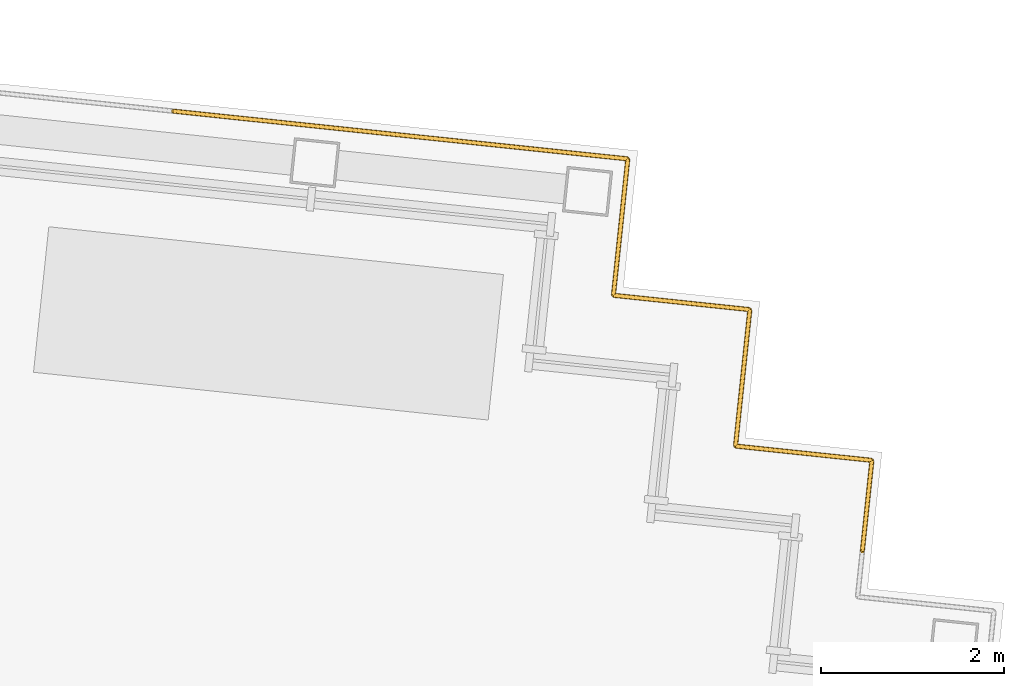
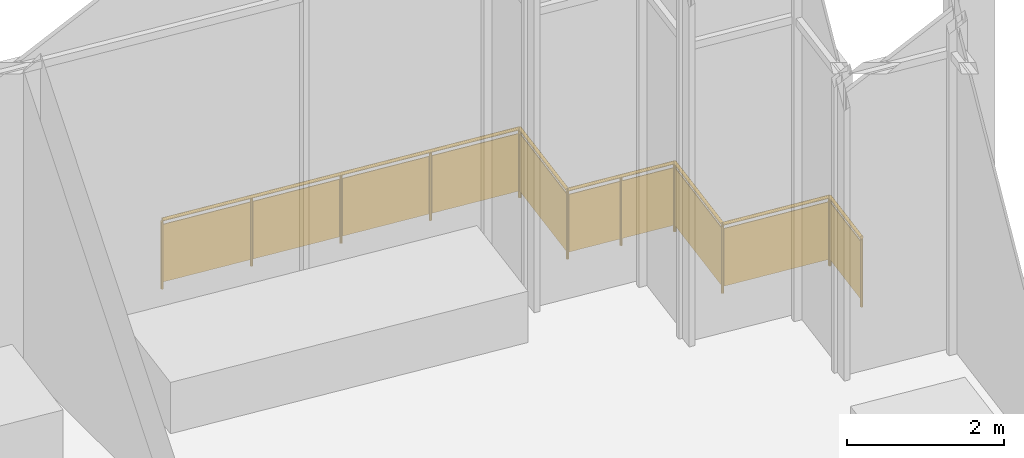
# One storey, part 14 of 14: 1 railing.
"""IFC4 building model written with IfcOpenShell, lengths in metres."""

from ifc_helpers import new_model, si_unit, direction, frame, origin, origin_2d, place, context, subcontext, project, spatial, rectangle, circle, extrude, material, type_object, element, save


model = new_model("IFC4")

# Units and contexts
model_context = context("Model", 3, precision=1e-05, world=origin(), true_north=direction((0.0, 1.0)))
body_context = subcontext(model_context, "Body", "Model", "MODEL_VIEW")
ifc_project = project(units=[si_unit("LENGTHUNIT", "METRE"), si_unit("AREAUNIT", "SQUARE_METRE"), si_unit("VOLUMEUNIT", "CUBIC_METRE"), si_unit("PLANEANGLEUNIT", "RADIAN"), si_unit("MASSUNIT", "GRAM", prefix="KILO")], contexts=[model_context])

# Site, building, storey
site_placement = place(None, origin())
site = spatial("IfcSite", under=ifc_project, at=site_placement, CompositionType="ELEMENT")
building_placement = place(site_placement, origin())
building = spatial("IfcBuilding", under=site, at=building_placement, Name="Vidyagriha Tower", CompositionType="ELEMENT")
storey_placement = place(building_placement, frame((0.0, 0.0, 281.89990234375)))
storey = spatial("IfcBuildingStorey", under=building, at=storey_placement, Name="L74", CompositionType="ELEMENT", Elevation=281.89990234375)

# Railing
ifc_material = material(Name="Steel ASTM A500 Grade C black painted", Category="steel")
railing_type = type_object("IfcRailingType", Name="Gallery guard 1100", PredefinedType="GUARDRAIL", material=ifc_material)
railing_placement = place(storey_placement, frame((24.288818359375, 19.227294921875, 0.0)))
element("IfcRailing", 1, at=railing_placement, inside=storey, type_object=railing_type, Name="Gallery guard L74 13", PredefinedType="GUARDRAIL", context=body_context, shape_type="SweptSolid", body=[
    extrude(circle(Radius=0.02490234375, at=origin_2d()), frame((0.0, 0.0, 1.0751953125), z_axis=(0.994520692635, -0.104539905878, 0.0), x_axis=(0.104539905878, 0.994520692635, 0.0)), (0.0, 0.0, 1.0), 5.0),
    extrude(circle(Radius=0.02490234375, at=origin_2d()), frame((4.97265625, -0.522705078125, 1.0751953125), z_axis=(-0.104659366031, -0.994508128223, 0.0), x_axis=(0.994508128223, -0.104659366031, 0.0)), (0.0, 0.0, 1.0), 1.5),
    extrude(circle(Radius=0.02490234375, at=origin_2d()), frame((4.815673828125, -2.014404296875, 1.0751953125), z_axis=(0.994509910675, -0.104642427191, 0.0), x_axis=(0.104642427191, 0.994509910675, 0.0)), (0.0, 0.0, 1.0), 1.500244140625),
    extrude(circle(Radius=0.02490234375, at=origin_2d()), frame((6.3076171875, -2.17138671875, 1.0751953125), z_axis=(-0.104498377516, -0.994525057048, 0.0), x_axis=(0.994525057048, -0.104498377516, 0.0)), (0.0, 0.0, 1.0), 1.5),
    extrude(circle(Radius=0.02490234375, at=origin_2d()), frame((6.15087890625, -3.6630859375, 1.0751953125), z_axis=(0.994525057048, -0.104498377516, 0.0), x_axis=(0.104498377516, 0.994525057048, 0.0)), (0.0, 0.0, 1.0), 1.5),
    extrude(circle(Radius=0.02490234375, at=origin_2d()), frame((7.642578125, -3.81982421875, 1.0751953125), z_axis=(-0.104481464157, -0.994526834051, 0.0), x_axis=(0.994526834051, -0.104481464157, 0.0)), (0.0, 0.0, 1.0), 1.0),
    extrude(circle(Radius=0.02001953125, at=origin_2d()), origin(), (0.0, 0.0, 1.0), 1.050048828125),
    extrude(circle(Radius=0.02001953125, at=origin_2d()), frame((1.2431640625, -0.130615234375, 0.0)), (0.0, 0.0, 1.0), 1.050048828125),
    extrude(circle(Radius=0.02001953125, at=origin_2d()), frame((2.486328125, -0.26123046875, 0.0)), (0.0, 0.0, 1.0), 1.050048828125),
    extrude(circle(Radius=0.02001953125, at=origin_2d()), frame((3.7294921875, -0.39208984375, 0.0)), (0.0, 0.0, 1.0), 1.050048828125),
    extrude(circle(Radius=0.02001953125, at=origin_2d()), frame((4.97265625, -0.522705078125, 0.0)), (0.0, 0.0, 1.0), 1.050048828125),
    extrude(circle(Radius=0.02001953125, at=origin_2d()), frame((4.815673828125, -2.014404296875, 0.0)), (0.0, 0.0, 1.0), 1.050048828125),
    extrude(circle(Radius=0.02001953125, at=origin_2d()), frame((5.5615234375, -2.0927734375, 0.0)), (0.0, 0.0, 1.0), 1.050048828125),
    extrude(circle(Radius=0.02001953125, at=origin_2d()), frame((6.3076171875, -2.17138671875, 0.0)), (0.0, 0.0, 1.0), 1.050048828125),
    extrude(circle(Radius=0.02001953125, at=origin_2d()), frame((6.15087890625, -3.6630859375, 0.0)), (0.0, 0.0, 1.0), 1.050048828125),
    extrude(circle(Radius=0.02001953125, at=origin_2d()), frame((7.642578125, -3.81982421875, 0.0)), (0.0, 0.0, 1.0), 1.050048828125),
    extrude(circle(Radius=0.02001953125, at=origin_2d()), frame((7.5380859375, -4.814453125, 0.0)), (0.0, 0.0, 1.0), 1.050048828125),
    extrude(rectangle(XDim=0.010009765625, YDim=0.900146484375, at=origin_2d()), frame((0.0, 0.0, 0.550048828125), z_axis=(0.994520692635, -0.104539905878, 0.0), x_axis=(0.104539905878, 0.994520692635, 0.0)), (0.0, 0.0, 1.0), 5.0),
    extrude(rectangle(XDim=0.010009765625, YDim=0.900146484375, at=origin_2d()), frame((4.97265625, -0.522705078125, 0.550048828125), z_axis=(-0.104659366031, -0.994508128223, 0.0), x_axis=(0.994508128223, -0.104659366031, 0.0)), (0.0, 0.0, 1.0), 1.5),
    extrude(rectangle(XDim=0.010009765625, YDim=0.900146484375, at=origin_2d()), frame((4.815673828125, -2.014404296875, 0.550048828125), z_axis=(0.994509910675, -0.104642427191, 0.0), x_axis=(0.104642427191, 0.994509910675, 0.0)), (0.0, 0.0, 1.0), 1.500244140625),
    extrude(rectangle(XDim=0.010009765625, YDim=0.900146484375, at=origin_2d()), frame((6.3076171875, -2.17138671875, 0.550048828125), z_axis=(-0.104498377516, -0.994525057048, 0.0), x_axis=(0.994525057048, -0.104498377516, 0.0)), (0.0, 0.0, 1.0), 1.5),
    extrude(rectangle(XDim=0.010009765625, YDim=0.900146484375, at=origin_2d()), frame((6.15087890625, -3.6630859375, 0.550048828125), z_axis=(0.994525057048, -0.104498377516, 0.0), x_axis=(0.104498377516, 0.994525057048, 0.0)), (0.0, 0.0, 1.0), 1.5),
    extrude(rectangle(XDim=0.010009765625, YDim=0.900146484375, at=origin_2d()), frame((7.642578125, -3.81982421875, 0.550048828125), z_axis=(-0.104481464157, -0.994526834051, 0.0), x_axis=(0.994526834051, -0.104481464157, 0.0)), (0.0, 0.0, 1.0), 1.0),
])

save(model, "model.ifc")
